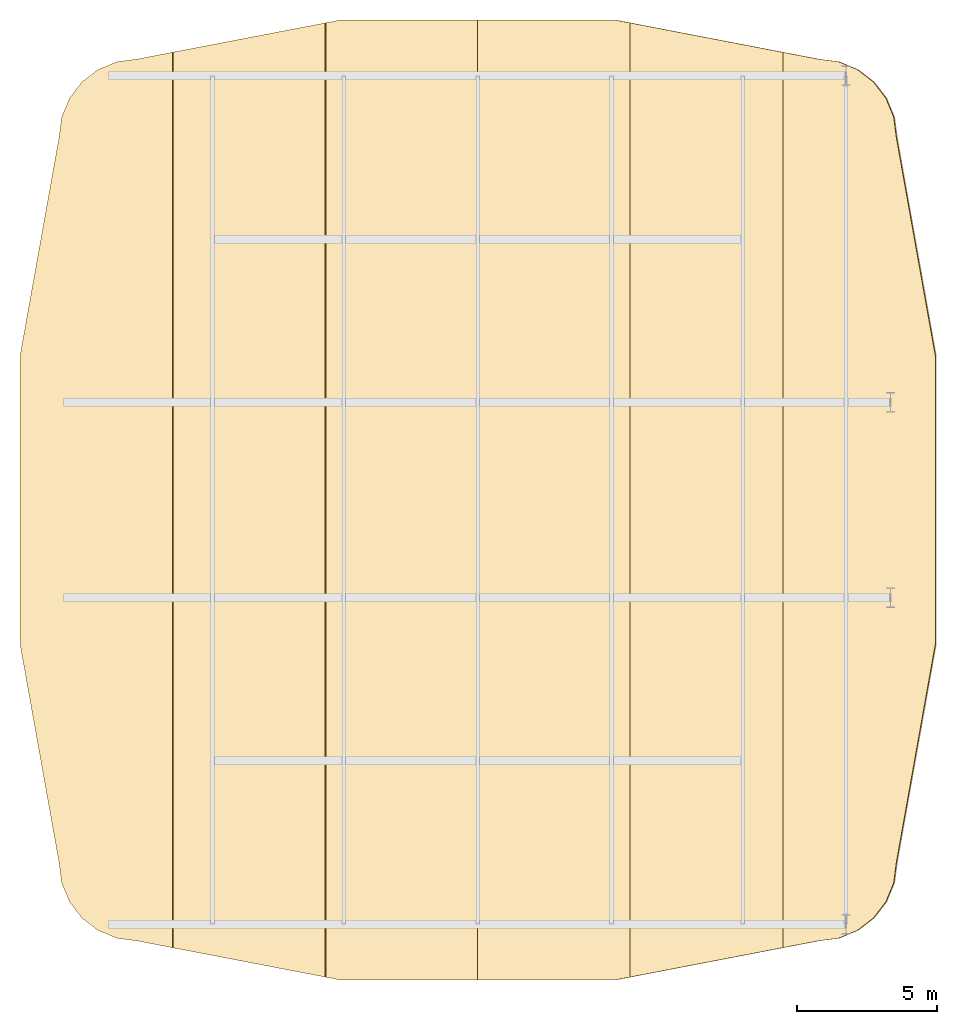
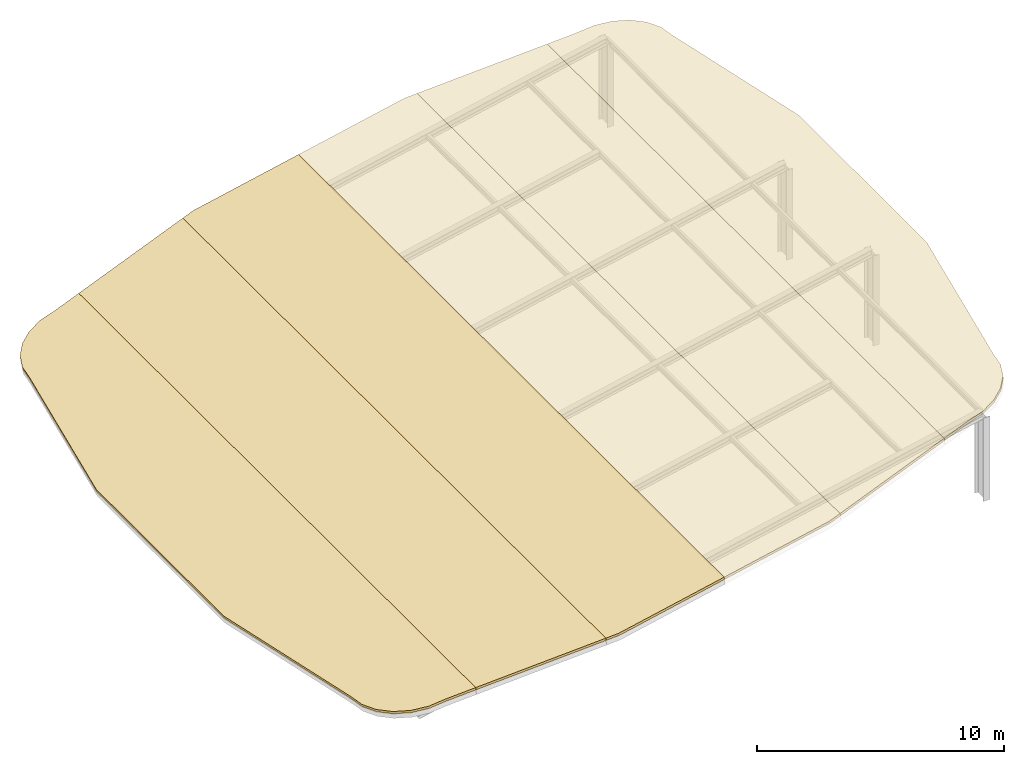
# One storey, part 2 of 2: 6 coverings.
"""IFC4 building model written with IfcOpenShell, lengths in metres."""

from ifc_helpers import new_model, si_unit, derived_unit, direction, frame, origin, place, context, subcontext, project, spatial, polyline, outline, extrude, material, layer, layer_set, type_object, element, save


model = new_model("IFC4")

# Units and contexts
model_context = context("Model", 3, precision=1e-05, world=origin(), true_north=direction((0.0, 1.0)))
body_context = subcontext(model_context, "Body", "Model", "MODEL_VIEW")
ifc_project = project(units=[si_unit("LENGTHUNIT", "METRE"), si_unit("AREAUNIT", "SQUARE_METRE"), si_unit("VOLUMEUNIT", "CUBIC_METRE"), si_unit("PLANEANGLEUNIT", "RADIAN"), si_unit("MASSUNIT", "GRAM", prefix="KILO"), derived_unit("THERMALTRANSMITTANCEUNIT", [(si_unit("POWERUNIT", "WATT"), 1), (si_unit("LENGTHUNIT", "METRE"), -2), (si_unit("THERMODYNAMICTEMPERATUREUNIT", "KELVIN"), -1)])], contexts=[model_context])

# Site, building, storey
site_placement = place(None, origin())
site = spatial("IfcSite", under=ifc_project, at=site_placement, CompositionType="ELEMENT")
building_placement = place(site_placement, origin())
building = spatial("IfcBuilding", under=site, at=building_placement, Name="Kivonza Crest Hotel", CompositionType="ELEMENT")
storey_placement = place(building_placement, frame((0.0, 0.0, 276.800048828125)))
storey = spatial("IfcBuildingStorey", under=building, at=storey_placement, Name="RF", CompositionType="ELEMENT", Elevation=276.800048828125)

# Coverings
ifc_material = material(Name="TPO waterproofing membrane over rigid mineral insulation", Category="insulation")
ifc_layer = layer(ifc_material, 0.1201171875)
ifc_layer_set = layer_set([ifc_layer], Name="TPO waterproofing membrane over rigid mineral insulation")
covering_type = type_object("IfcCoveringType", Name="CV-ROOF-160", PredefinedType="ROOFING", material=ifc_layer_set)
covering_1_placement = place(storey_placement, frame((10.06689453125, 8.9560546875, -0.48974609375), z_axis=(-0.207930771147, 0.0, 0.97814354489), x_axis=(0.0, 1.0, 0.0)))
element("IfcCovering", 1, at=covering_1_placement, inside=storey, type_object=covering_type, Name="Crown sloped insulated waterproofing membrane 1", PredefinedType="ROOFING", context=body_context, shape_type="SweptSolid", body=[
    extrude(outline(polyline([(0.0, 0.0), (32.087890625, 0.0), (31.843994140625, 1.2951500231957969), (31.7490234375, 2.0364826832760135), (31.468994140625, 2.726576009517341), (31.02392578125, 3.3193728743960698), (30.44384765625, 3.7744101843422926), (29.76904296875, 4.060705534476286), (29.0439453125, 4.157763191262495), (21.203857421875, 5.588950373007649), (10.884033203125, 5.588950373007649), (3.0439453125, 4.157763191262495), (2.31884765625, 4.060705534476286), (1.64404296875, 3.7744101843422926), (1.06396484375, 3.3193728743960698), (0.618896484375, 2.726576009517341), (0.3388671875, 2.0364826832760135), (0.243896484375, 1.2951500231957969), (0.0, 0.0)])), origin(), (0.0, 0.0, -1.0), 0.1201171875),
])
covering_2_placement = place(storey_placement, frame((15.532958984375, 7.905029296875, 0.671875), z_axis=(-0.207872863814, 0.0, 0.978155852863), x_axis=(0.0, 1.0, 0.0)))
element("IfcCovering", 2, at=covering_2_placement, inside=storey, type_object=covering_type, Name="Crown sloped insulated waterproofing membrane 2", PredefinedType="ROOFING", context=body_context, shape_type="SweptSolid", body=[
    extrude(outline(polyline([(0.0, 0.0), (34.18994140625, 0.0), (33.138916015625, 5.588132440374123), (1.051025390625, 5.588132440374123), (0.0, 0.0)])), origin(), (0.0, 0.0, -1.0), 0.1201171875),
])
covering_3_placement = place(storey_placement, frame((21.0, 7.800048828125, 1.833984375), z_axis=(-0.207920841937, 0.0, 0.978145655559), x_axis=(0.0, 1.0, 0.0)))
element("IfcCovering", 3, at=covering_3_placement, inside=storey, type_object=covering_type, Name="Crown sloped insulated waterproofing membrane 3", PredefinedType="ROOFING", context=body_context, shape_type="SweptSolid", body=[
    extrude(outline(polyline([(0.0, 0.0), (34.39990234375, 0.0), (34.39990234375, 5.0298135295003785), (34.294921875, 5.589189177867278), (0.10498046875, 5.589189177867278), (0.0, 5.0298135295003785), (0.0, 0.0)])), origin(), (0.0, 0.0, -1.0), 0.1201171875),
])
covering_4_placement = place(storey_placement, frame((26.467041015625, 7.905029296875, 2.99609375), z_axis=(-0.207920969517, 0.0, 0.978145628439), x_axis=(0.0, 1.0, 0.0)))
element("IfcCovering", 4, at=covering_4_placement, inside=storey, type_object=covering_type, Name="Crown sloped insulated waterproofing membrane 4", PredefinedType="ROOFING", context=body_context, shape_type="SweptSolid", body=[
    extrude(outline(polyline([(0.0, 0.0), (34.18994140625, 0.0), (34.294921875, 0.5593248864313451), (34.294921875, 5.589189177867292), (-0.10498046875, 5.589189177867292), (-0.10498046875, 0.5593248864313451), (0.0, 0.0)])), origin(), (0.0, 0.0, -1.0), 0.1201171875),
])
covering_5_placement = place(storey_placement, frame((31.93310546875, 8.9560546875, 4.157958984375), z_axis=(-0.207914664514, 0.0, 0.97814696865), x_axis=(0.0, 1.0, 0.0)))
element("IfcCovering", 5, at=covering_5_placement, inside=storey, type_object=covering_type, Name="Crown sloped insulated waterproofing membrane 5", PredefinedType="ROOFING", context=body_context, shape_type="SweptSolid", body=[
    extrude(outline(polyline([(0.0, 0.0), (32.087890625, 0.0), (33.138916015625, 5.588183195687662), (-1.051025390625, 5.588183195687662), (0.0, 0.0)])), origin(), (0.0, 0.0, -1.0), 0.1201171875),
])
covering_6_placement = place(storey_placement, frame((37.39990234375, 19.840087890625, 5.320068359375), z_axis=(-0.207926178892, 0.0, 0.978144521086), x_axis=(0.0, 1.0, 0.0)))
element("IfcCovering", 6, at=covering_6_placement, inside=storey, type_object=covering_type, Name="Crown sloped insulated waterproofing membrane 6", PredefinedType="ROOFING", context=body_context, shape_type="SweptSolid", body=[
    extrude(outline(polyline([(0.0, 0.0), (10.31982421875, 0.0), (18.159912109375, 1.4311871816354618), (18.885009765625, 1.5282956024241952), (19.559814453125, 1.814590952359685), (20.139892578125, 2.269577498544191), (20.5849609375, 2.8623743632709235), (20.864990234375, 3.5525184536011074), (20.9599609375, 4.293800349721104), (21.203857421875, 5.5889503729719054), (-10.884033203125, 5.5889503729719054), (-10.64013671875, 4.293800349721104), (-10.545166015625, 3.5525184536011074), (-10.26513671875, 2.8623743632709235), (-9.820068359375, 2.269577498544191), (-9.239990234375, 1.814590952359685), (-8.565185546875, 1.5282956024241952), (-7.840087890625, 1.4311871816354618), (0.0, 0.0)])), origin(), (0.0, 0.0, -1.0), 0.1201171875),
])

save(model, "model.ifc")
